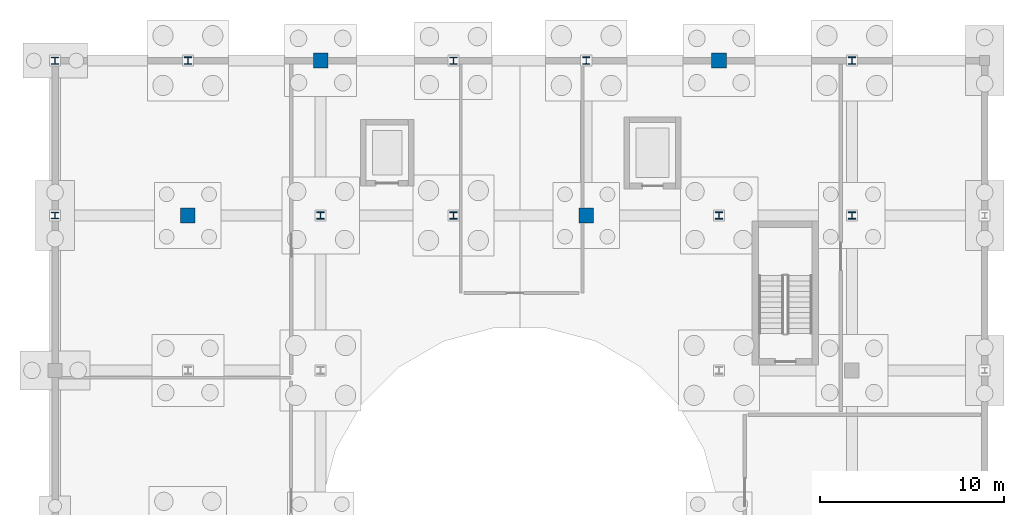
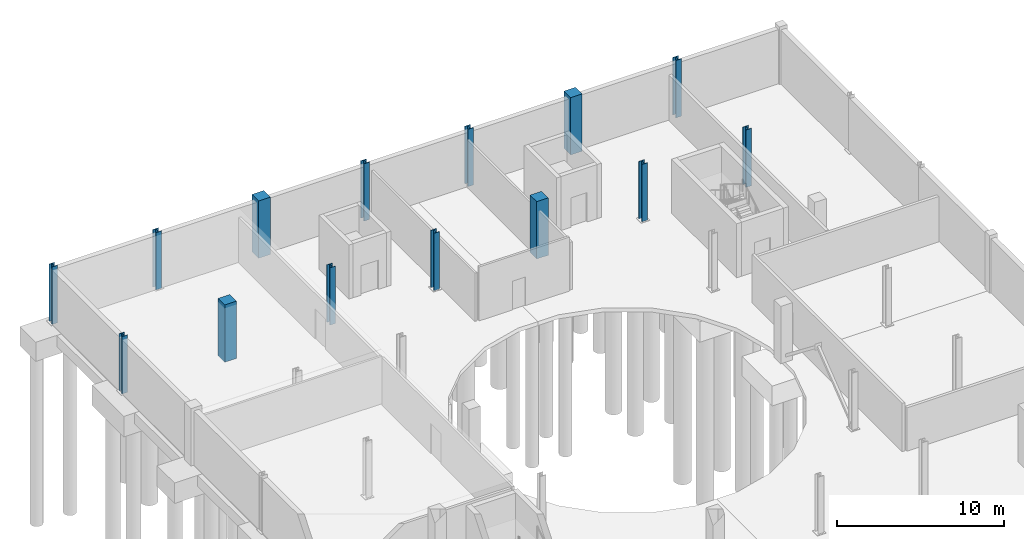
# One storey, part 13 of 32: 14 columns.
"""IFC4 building model written with IfcOpenShell, lengths in metres."""

from ifc_helpers import new_model, si_unit, direction, frame, origin, origin_2d, place, context, subcontext, project, spatial, rectangle, i_section, extrude, material, material_profile, profile_set, type_object, element, save


model = new_model("IFC4")

# Units and contexts
model_context = context("Model", 3, precision=1e-05, world=origin(), true_north=direction((0.0, 1.0)))
body_context = subcontext(model_context, "Body", "Model", "MODEL_VIEW")
ifc_project = project(units=[si_unit("LENGTHUNIT", "METRE"), si_unit("AREAUNIT", "SQUARE_METRE"), si_unit("VOLUMEUNIT", "CUBIC_METRE"), si_unit("PLANEANGLEUNIT", "RADIAN"), si_unit("MASSUNIT", "GRAM", prefix="KILO")], contexts=[model_context])

# Site, building, storey
site_placement = place(None, origin())
site = spatial("IfcSite", under=ifc_project, at=site_placement, CompositionType="ELEMENT")
building_placement = place(site_placement, origin())
building = spatial("IfcBuilding", under=site, at=building_placement, Name="Qelthora Terrace Specialist Clinic", CompositionType="ELEMENT")
storey_placement = place(building_placement, frame((0.0, 0.0, -4.199951171875)))
storey = spatial("IfcBuildingStorey", under=building, at=storey_placement, Name="B1", CompositionType="ELEMENT", Elevation=-4.199951171875)

# Columns
ifc_material_1 = material(Name="Concrete C40/50", Category="concrete")
ifc_material_profile_1 = material_profile(ifc_material_1, rectangle(XDim=0.800048828125, YDim=0.800048828125, at=origin_2d()), Name="RC800X800")
ifc_profile_set_1 = profile_set([ifc_material_profile_1], Name="Concrete C40/50")
column_type_1 = type_object("IfcColumnType", Name="COL-RC800", PredefinedType="COLUMN", material=ifc_profile_set_1)
for number, where, z_axis, x_axis, name in (
    (1, (7.199951171875, 100.800048828125, 0.0), (0.0, 0.0, 1.0), (1.0, 0.0, 0.0), "Column B1-027"),
    (2, (14.39990234375, 109.199951171875, 0.0), (0.0, 0.0, 1.0), (1.0, 0.0, 0.0), "Column B1-042"),
    (3, (28.800048828125, 100.800048828125, 0.0), (0.0, 0.0, 1.0), (1.0, 0.0, 0.0), "Column B1-063"),
    (4, (36.0, 109.199951171875, 0.0), (0.0, 0.0, 1.0), (1.0, 0.0, 0.0), "Column B1-078"),
):
    element("IfcColumn", number, at=place(storey_placement, frame(where, z_axis=z_axis, x_axis=x_axis)), inside=storey, type_object=column_type_1, Name=name, PredefinedType="COLUMN", context=body_context, shape_type="SweptSolid", body=[
        extrude(rectangle(XDim=0.800048828125, YDim=0.800048828125, at=origin_2d()), origin(), (0.0, 0.0, 1.0), 4.199951171875),
    ])
ifc_material_2 = material(Name="Steel S355", Category="steel")
ifc_material_profile_2 = material_profile(ifc_material_2, i_section(OverallWidth=0.39404296875, OverallDepth=0.375, WebThickness=0.017333984375, FlangeThickness=0.027587890625, FilletRadius=0.02001953125, at=origin_2d()), Name="W360X216")
ifc_profile_set_2 = profile_set([ifc_material_profile_2], Name="Steel S355")
column_type_2 = type_object("IfcColumnType", Name="COL-W360X216", PredefinedType="COLUMN", material=ifc_profile_set_2)
column_1_placement = place(storey_placement, frame((0.0, 100.800048828125, 0.0), z_axis=(0.0, 0.0, 1.0), x_axis=(1.0, 0.0, 0.0)))
element("IfcColumn", 5, at=column_1_placement, inside=storey, type_object=column_type_2, Name="Column B1-013", PredefinedType="COLUMN", context=body_context, shape_type="SweptSolid", body=[
    extrude(i_section(OverallWidth=0.39404296875, OverallDepth=0.375, WebThickness=0.017333984375, FlangeThickness=0.027587890625, FilletRadius=0.02001953125, at=origin_2d()), origin(), (0.0, 0.0, 1.0), 4.199951171875),
])
ifc_material_profile_3 = material_profile(ifc_material_2, i_section(OverallWidth=0.39501953125, OverallDepth=0.3798828125, WebThickness=0.018798828125, FlangeThickness=0.0302734375, FilletRadius=0.02001953125, at=origin_2d()), Name="W360X237")
ifc_profile_set_3 = profile_set([ifc_material_profile_3], Name="Steel S355")
column_type_3 = type_object("IfcColumnType", Name="COL-W360X237", PredefinedType="COLUMN", material=ifc_profile_set_3)
column_2_placement = place(storey_placement, frame((0.0, 109.199951171875, 0.0), z_axis=(0.0, 0.0, 1.0), x_axis=(1.0, 0.0, 0.0)))
element("IfcColumn", 6, at=column_2_placement, inside=storey, type_object=column_type_3, Name="Column B1-014", PredefinedType="COLUMN", context=body_context, shape_type="SweptSolid", body=[
    extrude(i_section(OverallWidth=0.39501953125, OverallDepth=0.3798828125, WebThickness=0.018798828125, FlangeThickness=0.0302734375, FilletRadius=0.02001953125, at=origin_2d()), origin(), (0.0, 0.0, 1.0), 4.199951171875),
])
ifc_material_profile_4 = material_profile(ifc_material_2, i_section(OverallWidth=0.39794921875, OverallDepth=0.386962890625, WebThickness=0.02099609375, FlangeThickness=0.033203125, FilletRadius=0.02001953125, at=origin_2d()), Name="W360X262")
ifc_profile_set_4 = profile_set([ifc_material_profile_4], Name="Steel S355")
column_type_4 = type_object("IfcColumnType", Name="COL-W360X262", PredefinedType="COLUMN", material=ifc_profile_set_4)
for number, where, z_axis, x_axis, name in (
    (7, (14.39990234375, 100.800048828125, 0.0), (0.0, 0.0, 1.0), (1.0, 0.0, 0.0), "Column B1-041"),
    (8, (21.60009765625, 109.199951171875, 0.0), (0.0, 0.0, 1.0), (1.0, 0.0, 0.0), "Column B1-053"),
    (9, (36.0, 100.800048828125, 0.0), (0.0, 0.0, 1.0), (1.0, 0.0, 0.0), "Column B1-077"),
    (10, (43.199951171875, 100.800048828125, 0.0), (0.0, 0.0, 1.0), (1.0, 0.0, 0.0), "Column B1-091"),
):
    element("IfcColumn", number, at=place(storey_placement, frame(where, z_axis=z_axis, x_axis=x_axis)), inside=storey, type_object=column_type_4, Name=name, PredefinedType="COLUMN", context=body_context, shape_type="SweptSolid", body=[
        extrude(i_section(OverallWidth=0.39794921875, OverallDepth=0.386962890625, WebThickness=0.02099609375, FlangeThickness=0.033203125, FilletRadius=0.02001953125, at=origin_2d()), origin(), (0.0, 0.0, 1.0), 4.199951171875),
    ])
ifc_material_profile_5 = material_profile(ifc_material_2, i_section(OverallWidth=0.39892578125, OverallDepth=0.39306640625, WebThickness=0.022705078125, FlangeThickness=0.035888671875, FilletRadius=0.02001953125, at=origin_2d()), Name="W360X287")
ifc_profile_set_5 = profile_set([ifc_material_profile_5], Name="Steel S355")
column_type_5 = type_object("IfcColumnType", Name="COL-W360X287", PredefinedType="COLUMN", material=ifc_profile_set_5)
for number, where, z_axis, x_axis, name in (
    (11, (7.199951171875, 109.199951171875, 0.0), (0.0, 0.0, 1.0), (1.0, 0.0, 0.0), "Column B1-028"),
    (12, (21.60009765625, 100.800048828125, 0.0), (0.0, 0.0, 1.0), (1.0, 0.0, 0.0), "Column B1-052"),
    (13, (28.800048828125, 109.199951171875, 0.0), (0.0, 0.0, 1.0), (1.0, 0.0, 0.0), "Column B1-064"),
    (14, (43.199951171875, 109.199951171875, 0.0), (0.0, 0.0, 1.0), (1.0, 0.0, 0.0), "Column B1-092"),
):
    element("IfcColumn", number, at=place(storey_placement, frame(where, z_axis=z_axis, x_axis=x_axis)), inside=storey, type_object=column_type_5, Name=name, PredefinedType="COLUMN", context=body_context, shape_type="SweptSolid", body=[
        extrude(i_section(OverallWidth=0.39892578125, OverallDepth=0.39306640625, WebThickness=0.022705078125, FlangeThickness=0.035888671875, FilletRadius=0.02001953125, at=origin_2d()), origin(), (0.0, 0.0, 1.0), 4.199951171875),
    ])

save(model, "model.ifc")
